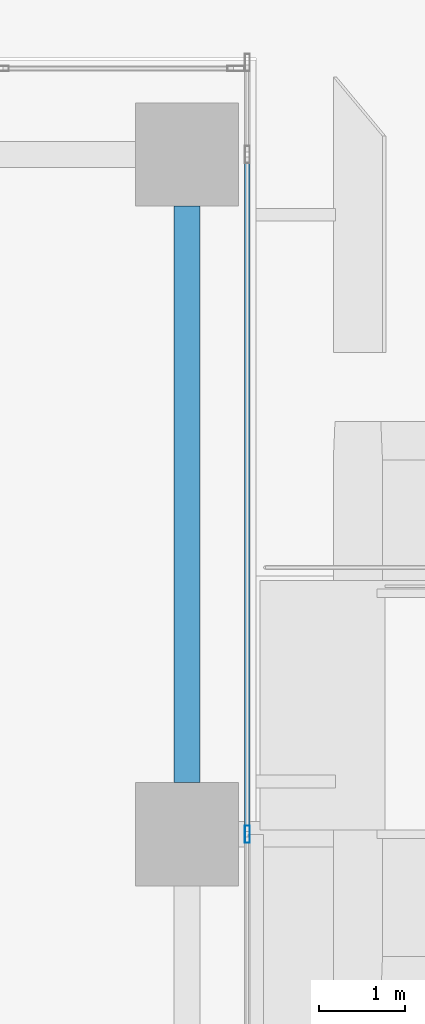
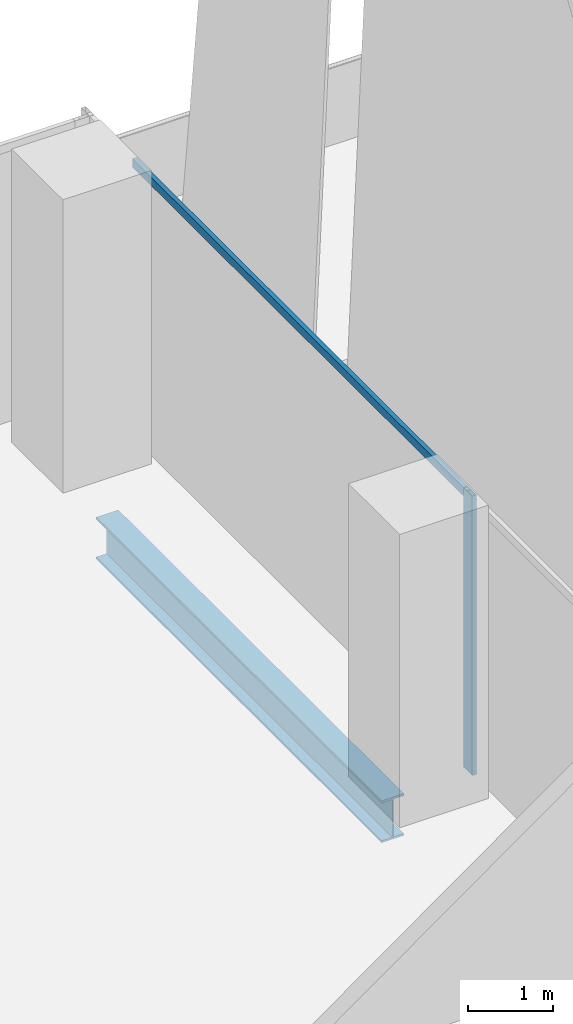
# One storey, part 20 of 46: 2 members, 1 beam, 1 element without a shape of its own.
"""IFC4 building model written with IfcOpenShell, lengths in metres."""

from ifc_helpers import new_model, si_unit, direction, frame, origin, origin_2d, place, context, subcontext, project, spatial, hollow_rectangle, i_section, extrude, source, transform, mapped, material, material_profile, profile_set, type_object, element, aggregate, save


model = new_model("IFC4")

# Units and contexts
model_context = context("Model", 3, precision=1e-05, world=origin(), true_north=direction((0.0, 1.0)))
body_context = subcontext(model_context, "Body", "Model", "MODEL_VIEW")
ifc_project = project(units=[si_unit("LENGTHUNIT", "METRE"), si_unit("AREAUNIT", "SQUARE_METRE"), si_unit("VOLUMEUNIT", "CUBIC_METRE"), si_unit("PLANEANGLEUNIT", "RADIAN"), si_unit("MASSUNIT", "GRAM", prefix="KILO")], contexts=[model_context])

# Site, building, storey
site_placement = place(None, origin())
site = spatial("IfcSite", under=ifc_project, at=site_placement, CompositionType="ELEMENT")
building_placement = place(site_placement, origin())
building = spatial("IfcBuilding", under=site, at=building_placement, Name="Khomas Fold Tower", CompositionType="ELEMENT")
storey_placement = place(building_placement, frame((0.0, 0.0, 33.0)))
storey = spatial("IfcBuildingStorey", under=building, at=storey_placement, Name="L06", CompositionType="ELEMENT", Elevation=33.0)

# Beam
ifc_material_1 = material(Name="Steel S355", Category="steel")
ifc_material_profile_1 = material_profile(ifc_material_1, i_section(OverallWidth=0.300048828125, OverallDepth=0.60009765625, WebThickness=0.015380859375, FlangeThickness=0.030029296875, at=origin_2d()), Name="HE 600 B")
ifc_profile_set_1 = profile_set([ifc_material_profile_1], Name="Steel S355")
beam_type = type_object("IfcBeamType", Name="HE 600 B spandrel SB1", PredefinedType="SPANDREL", material=ifc_profile_set_1)
shared_shape_1 = source(origin(), body_context, "Body", "SweptSolid", [
    extrude(i_section(OverallWidth=0.300048828125, OverallDepth=0.60009765625, WebThickness=0.015380859375, FlangeThickness=0.030029296875, at=origin_2d()), origin(), (0.0, 0.0, 1.0), 6.699951171875),
])
beam_placement = place(storey_placement, frame((53.199951171875, 42.60009765625, -0.800048828125), z_axis=(0.0, 1.0, 0.0), x_axis=(-1.0, 0.0, 0.0)))
element("IfcBeam", 1, at=beam_placement, inside=storey, type_object=beam_type, Name="SB1", PredefinedType="SPANDREL", context=body_context, shape_type="MappedRepresentation", body=[
    mapped(shared_shape_1, transform((0.0, 0.0, 0.0))),
])

# Curtain wall, members
ifc_material_2 = material(Name="Aluminium framed double glazing", Category="aluminium")
curtain_wall_type = type_object("IfcCurtainWallType", Name="SK-Unitised clear-glass wall, growing floors CW1", PredefinedType="NOTDEFINED", material=ifc_material_2)
curtain_wall_placement = place(storey_placement, origin())
curtain_wall = element("IfcCurtainWall", 2, at=curtain_wall_placement, inside=storey, type_object=curtain_wall_type, Name="CW1 run L06 03-1", PredefinedType="NOTDEFINED")
ifc_material_3 = material(Name="Aluminium", Category="aluminium")
ifc_material_profile_2 = material_profile(ifc_material_3, hollow_rectangle(XDim=0.06005859375, YDim=0.199951171875, WallThickness=0.00390625, at=origin_2d()), Name="SK-Unitised clear-glass wall, growing floors mullion CW1-M")
ifc_profile_set_2 = profile_set([ifc_material_profile_2], Name="Aluminium")
member_type_1 = type_object("IfcMemberType", Name="SK-Unitised clear-glass wall, growing floors mullion CW1-M", PredefinedType="MULLION", material=ifc_profile_set_2)
shared_shape_2 = source(origin(), body_context, "Body", "SweptSolid", [
    extrude(hollow_rectangle(XDim=0.06005859375, YDim=0.199951171875, WallThickness=0.00390625, at=origin_2d()), origin(), (0.0, 0.0, 1.0), 4.0),
])
member_1_placement = place(storey_placement, frame((53.89990234375, 42.0, 0.0), z_axis=(0.0, 0.0, 1.0), x_axis=(-1.0, 0.0, 0.0)))
member_1 = element("IfcMember", 3, at=member_1_placement, type_object=member_type_1, Name="CW1 mullion 4", PredefinedType="MULLION", context=body_context, shape_type="MappedRepresentation", body=[
    mapped(shared_shape_2, transform((0.0, 0.0, 0.0))),
])
ifc_material_4 = material(Name="Aluminium", Category="aluminium")
ifc_material_profile_3 = material_profile(ifc_material_4, hollow_rectangle(XDim=0.06005859375, YDim=0.1201171875, WallThickness=0.00390625, at=origin_2d()), Name="SK-Unitised clear-glass wall, growing floors transom CW1-T")
ifc_profile_set_3 = profile_set([ifc_material_profile_3], Name="Aluminium")
member_type_2 = type_object("IfcMemberType", Name="SK-Unitised clear-glass wall, growing floors transom CW1-T", PredefinedType="USERDEFINED", material=ifc_profile_set_3)
shared_shape_3 = source(origin(), body_context, "Body", "SweptSolid", [
    extrude(hollow_rectangle(XDim=0.06005859375, YDim=0.1201171875, WallThickness=0.00390625, at=origin_2d()), origin(), (0.0, 0.0, 1.0), 7.840087890625),
])
member_2_placement = place(storey_placement, frame((53.89990234375, 42.030029296875, 3.93994140625), z_axis=(0.0, 1.0, 0.0), x_axis=(-1.0, 0.0, 0.0)))
member_2 = element("IfcMember", 4, at=member_2_placement, type_object=member_type_2, Name="CW1 transom 4", ObjectType="TRANSOM", PredefinedType="USERDEFINED", context=body_context, shape_type="MappedRepresentation", body=[
    mapped(shared_shape_3, transform((0.0, 0.0, 0.0))),
])
aggregate(curtain_wall, [member_1, member_2])

save(model, "model.ifc")
